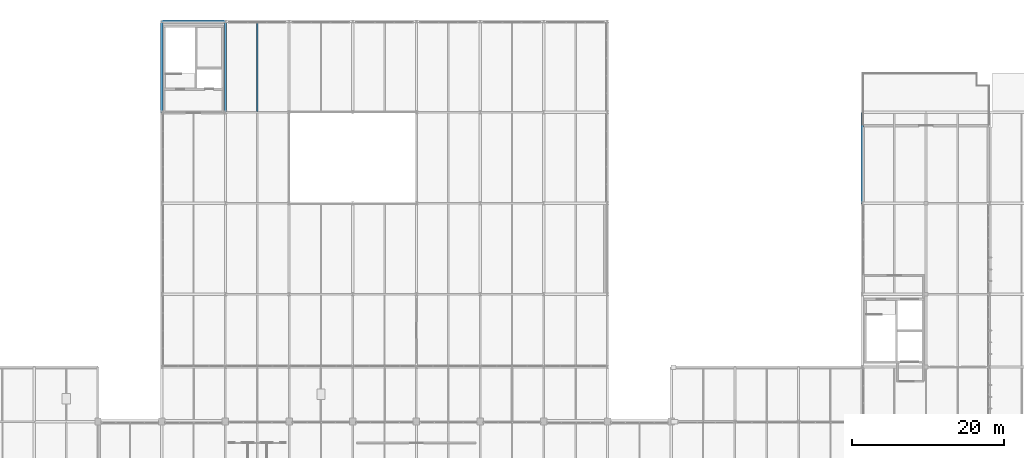
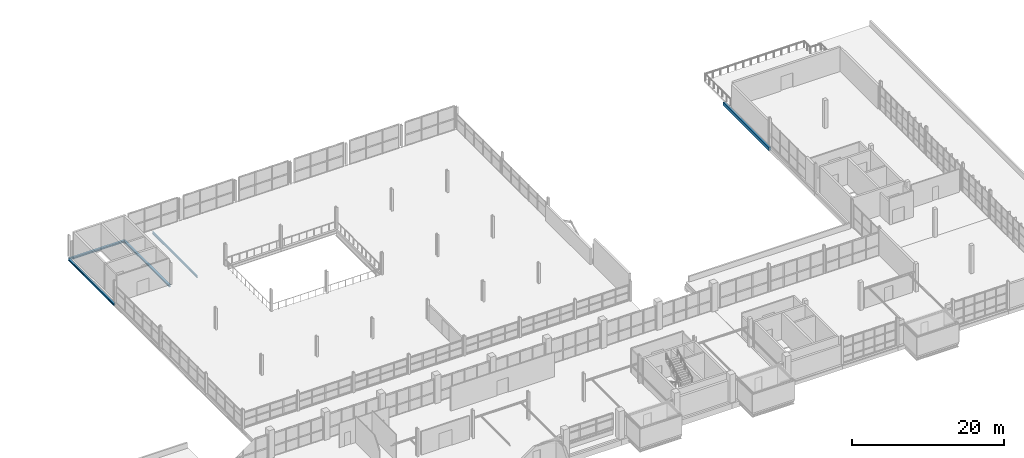
# One storey, part 60 of 103: 5 beams.
"""IFC4 building model written with IfcOpenShell, lengths in metres."""

from ifc_helpers import new_model, si_unit, direction, frame, origin, origin_2d, place, context, subcontext, project, spatial, rectangle, i_section, extrude, material, material_profile, profile_set, type_object, element, save


model = new_model("IFC4")

# Units and contexts
model_context = context("Model", 3, precision=1e-05, world=origin(), true_north=direction((0.0, 1.0)))
body_context = subcontext(model_context, "Body", "Model", "MODEL_VIEW")
ifc_project = project(units=[si_unit("LENGTHUNIT", "METRE"), si_unit("AREAUNIT", "SQUARE_METRE"), si_unit("VOLUMEUNIT", "CUBIC_METRE"), si_unit("PLANEANGLEUNIT", "RADIAN"), si_unit("MASSUNIT", "GRAM", prefix="KILO")], contexts=[model_context])

# Site, building, storey
site_placement = place(None, origin())
site = spatial("IfcSite", under=ifc_project, at=site_placement, CompositionType="ELEMENT")
building_placement = place(site_placement, origin())
building = spatial("IfcBuilding", under=site, at=building_placement, Name="Veltarok Museum of Natural Sciences", CompositionType="ELEMENT")
storey_placement = place(building_placement, frame((0.0, 0.0, 21.89990234375)))
storey = spatial("IfcBuildingStorey", under=building, at=storey_placement, Name="L04", CompositionType="ELEMENT", Elevation=21.89990234375)

# Beams
ifc_material_1 = material(Name="Precast concrete C40/50", Category="concrete")
ifc_material_profile_1 = material_profile(ifc_material_1, rectangle(XDim=0.300048828125, YDim=0.550048828125, at=origin_2d()), Name="RC 300x550")
ifc_profile_set_1 = profile_set([ifc_material_profile_1], Name="Precast concrete C40/50")
beam_type_1 = type_object("IfcBeamType", Name="East Wing Precast Spandrel RC 300x550", PredefinedType="SPANDREL", material=ifc_profile_set_1)
beam_1_placement = place(storey_placement, frame((132.39990234375, 48.0, -0.534912109375), z_axis=(0.0, 1.0, 0.0), x_axis=(-1.0, 0.0, 0.0)))
element("IfcBeam", 1, at=beam_1_placement, inside=storey, type_object=beam_type_1, Name="Beam BM-SP02 L04 16/F-G", PredefinedType="SPANDREL", context=body_context, shape_type="SweptSolid", body=[
    extrude(rectangle(XDim=0.300048828125, YDim=0.550048828125, at=origin_2d()), origin(), (0.0, 0.0, 1.0), 12.0),
])
ifc_material_2 = material(Name="Steel S355J2", Category="steel")
ifc_material_profile_2 = material_profile(ifc_material_2, i_section(OverallWidth=0.300048828125, OverallDepth=0.2900390625, WebThickness=0.008544921875, FlangeThickness=0.013916015625, FilletRadius=0.027099609375, at=origin_2d()), Name="HEA 300")
ifc_profile_set_2 = profile_set([ifc_material_profile_2], Name="Steel S355J2")
beam_type_2 = type_object("IfcBeamType", Name="Glazed Hall Edge Spandrel HEA 300", PredefinedType="SPANDREL", material=ifc_profile_set_2)
beam_2_placement = place(storey_placement, frame((40.0, 72.0, -0.39501953125), z_axis=(1.0, 0.0, 0.0), x_axis=(0.0, 1.0, 0.0)))
element("IfcBeam", 2, at=beam_2_placement, inside=storey, type_object=beam_type_2, Name="Beam BM-SP03 L04 5-6/H", PredefinedType="SPANDREL", context=body_context, shape_type="SweptSolid", body=[
    extrude(i_section(OverallWidth=0.300048828125, OverallDepth=0.2900390625, WebThickness=0.008544921875, FlangeThickness=0.013916015625, FilletRadius=0.027099609375, at=origin_2d()), origin(), (0.0, 0.0, 1.0), 8.39990234375),
])
for number, where, z_axis, x_axis, name in (
    (3, (40.0, 60.0, -0.39501953125), (0.0, 1.0, 0.0), (-1.0, 0.0, 0.0), "Beam BM-SP03 L04 5/G-H"),
    (4, (48.39990234375, 60.0, -0.39501953125), (0.0, 1.0, 0.0), (-1.0, 0.0, 0.0), "Beam BM-SP03 L04 6/G-H"),
):
    element("IfcBeam", number, at=place(storey_placement, frame(where, z_axis=z_axis, x_axis=x_axis)), inside=storey, type_object=beam_type_2, Name=name, PredefinedType="SPANDREL", context=body_context, shape_type="SweptSolid", body=[
        extrude(i_section(OverallWidth=0.300048828125, OverallDepth=0.2900390625, WebThickness=0.008544921875, FlangeThickness=0.013916015625, FilletRadius=0.027099609375, at=origin_2d()), origin(), (0.0, 0.0, 1.0), 12.0),
    ])
ifc_material_profile_3 = material_profile(ifc_material_2, i_section(OverallWidth=0.169921875, OverallDepth=0.360107421875, WebThickness=0.008056640625, FlangeThickness=0.0126953125, FilletRadius=0.01806640625, at=origin_2d()), Name="IPE 360")
ifc_profile_set_3 = profile_set([ifc_material_profile_3], Name="Steel S355J2")
beam_type_3 = type_object("IfcBeamType", Name="Long-Bay Composite Joist IPE 360", PredefinedType="JOIST", material=ifc_profile_set_3)
beam_3_placement = place(storey_placement, frame((52.60009765625, 60.097900390625, -0.429931640625), z_axis=(0.0, 1.0, 0.0), x_axis=(-1.0, 0.0, 0.0)))
element("IfcBeam", 5, at=beam_3_placement, inside=storey, type_object=beam_type_3, Name="Secondary Joist BM-J01 L04 6-7/G-H.1", PredefinedType="JOIST", context=body_context, shape_type="SweptSolid", body=[
    extrude(i_section(OverallWidth=0.169921875, OverallDepth=0.360107421875, WebThickness=0.008056640625, FlangeThickness=0.0126953125, FilletRadius=0.01806640625, at=origin_2d()), origin(), (0.0, 0.0, 1.0), 11.754150390625),
])

save(model, "model.ifc")
